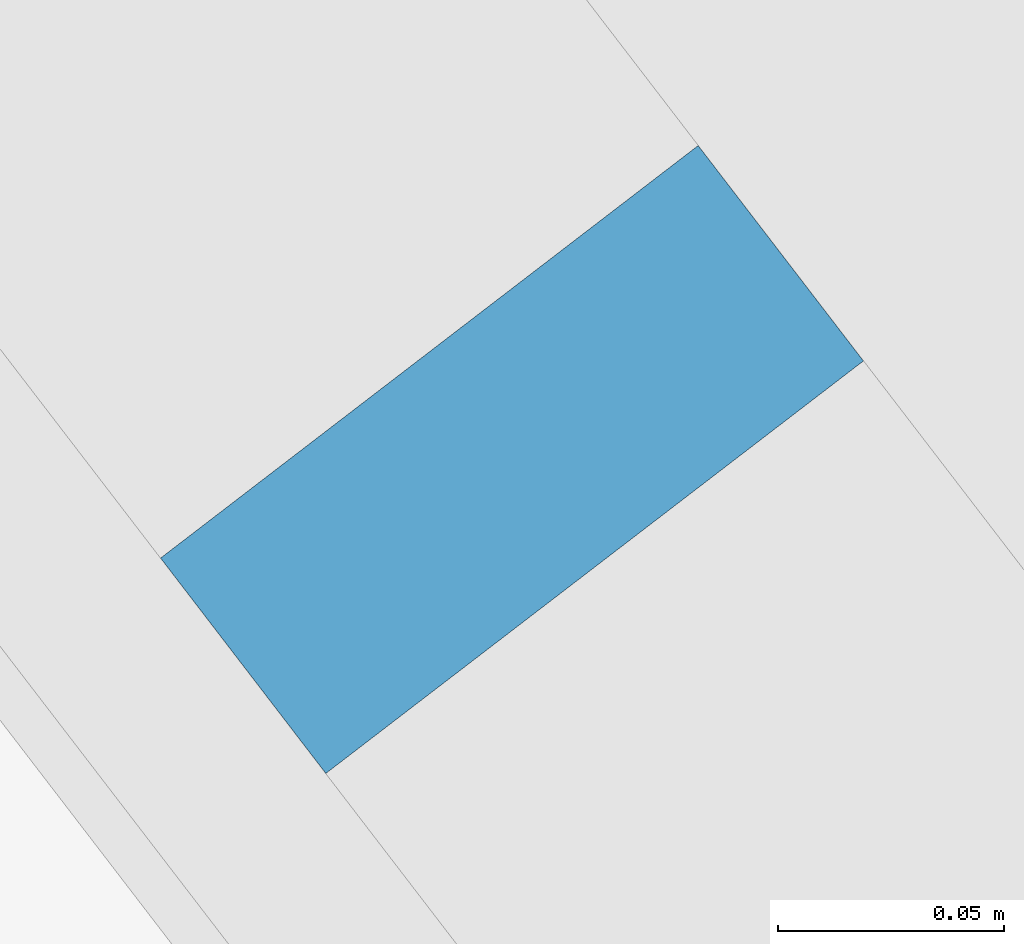
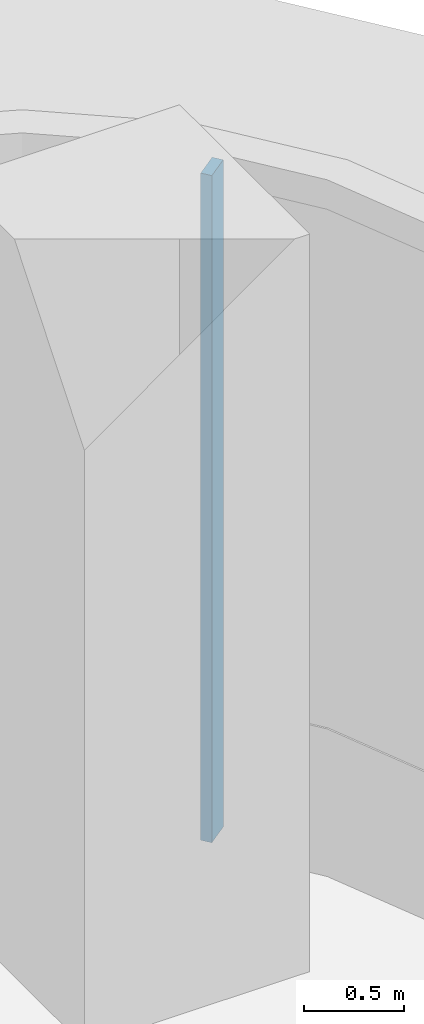
# One storey, part 11 of 21: 1 member, 1 element without a shape of its own.
"""IFC4 building model written with IfcOpenShell, lengths in metres."""

from ifc_helpers import new_model, si_unit, direction, frame, origin, origin_2d, place, context, subcontext, project, spatial, rectangle, extrude, source, transform, mapped, material, layer, layer_set, material_profile, profile_set, type_object, element, aggregate, save


model = new_model("IFC4")

# Units and contexts
model_context = context("Model", 3, precision=1e-05, world=origin(), true_north=direction((0.0, 1.0)))
body_context = subcontext(model_context, "Body", "Model", "MODEL_VIEW")
ifc_project = project(units=[si_unit("LENGTHUNIT", "METRE"), si_unit("AREAUNIT", "SQUARE_METRE"), si_unit("VOLUMEUNIT", "CUBIC_METRE"), si_unit("PLANEANGLEUNIT", "RADIAN"), si_unit("MASSUNIT", "GRAM", prefix="KILO")], contexts=[model_context])

# Site, building, storey
site_placement = place(None, origin())
site = spatial("IfcSite", under=ifc_project, at=site_placement, CompositionType="ELEMENT")
building_placement = place(site_placement, origin())
building = spatial("IfcBuilding", under=site, at=building_placement, Name="Trellis Farm Tower", CompositionType="ELEMENT")
storey_placement = place(building_placement, frame((0.0, 0.0, 147.0)))
storey = spatial("IfcBuildingStorey", under=building, at=storey_placement, Name="L31", CompositionType="ELEMENT", Elevation=147.0)

# Curtain wall, member
ifc_material_1 = material(Name="Aluminium and glass curtain wall", Category="aluminium")
ifc_layer = layer(ifc_material_1, 0.18994140625)
ifc_layer_set = layer_set([ifc_layer], Name="RIBBON CURTAIN WALL CW1")
curtain_wall_type = type_object("IfcCurtainWallType", Name="RIBBON CURTAIN WALL CW1", PredefinedType="NOTDEFINED", material=ifc_layer_set)
curtain_wall_placement = place(storey_placement, origin())
curtain_wall = element("IfcCurtainWall", 1, at=curtain_wall_placement, inside=storey, type_object=curtain_wall_type, Name="CW1 007", PredefinedType="NOTDEFINED")
ifc_material_2 = material(Name="Aluminium extrusion 6063-T6", Category="aluminium")
ifc_material_profile = material_profile(ifc_material_2, rectangle(XDim=0.06005859375, YDim=0.14990234375, at=origin_2d()), Name="MULLION 60x150")
ifc_profile_set = profile_set([ifc_material_profile], Name="Aluminium extrusion 6063-T6")
member_type = type_object("IfcMemberType", Name="CW1 MULLION 60x150", PredefinedType="MULLION", material=ifc_profile_set)
shared_shape = source(origin(), body_context, "Body", "SweptSolid", [
    extrude(rectangle(XDim=0.06005859375, YDim=0.14990234375, at=origin_2d()), origin(), (0.0, 0.0, 1.0), 4.070068359375),
])
member_placement = place(storey_placement, frame((28.328369140625, 5.385498046875, 0.0), z_axis=(0.0, 0.0, 1.0), x_axis=(-0.608761429009, 0.793353340291, 0.0)))
member = element("IfcMember", 2, at=member_placement, type_object=member_type, Name="MU1 007-02", PredefinedType="MULLION", context=body_context, shape_type="MappedRepresentation", body=[
    mapped(shared_shape, transform((0.0, 0.0, 0.0))),
])
aggregate(curtain_wall, [member])

save(model, "model.ifc")
